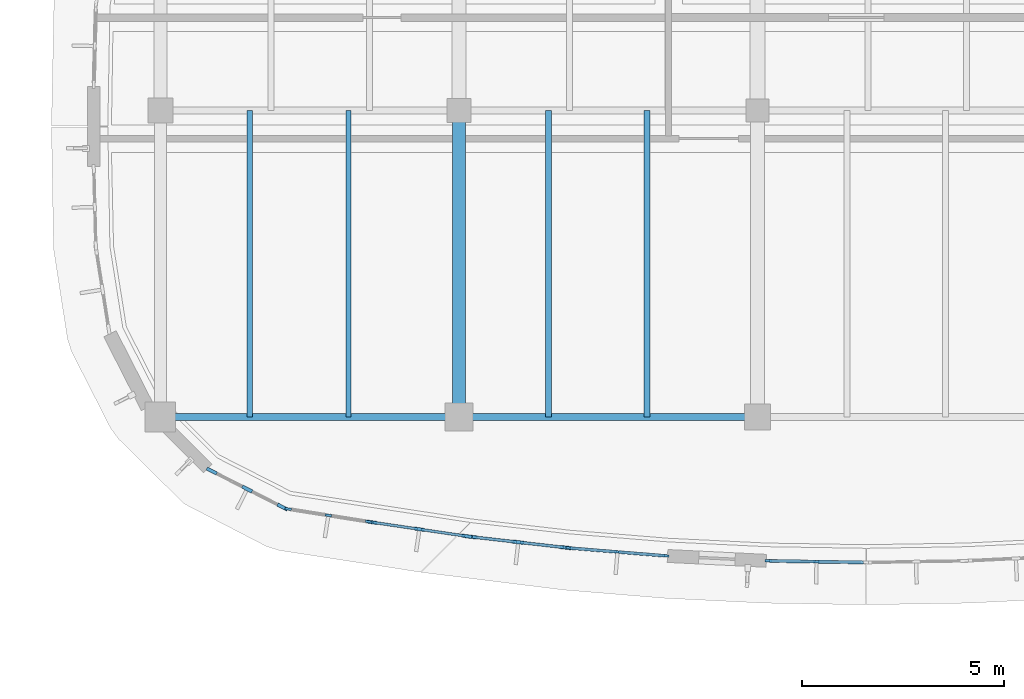
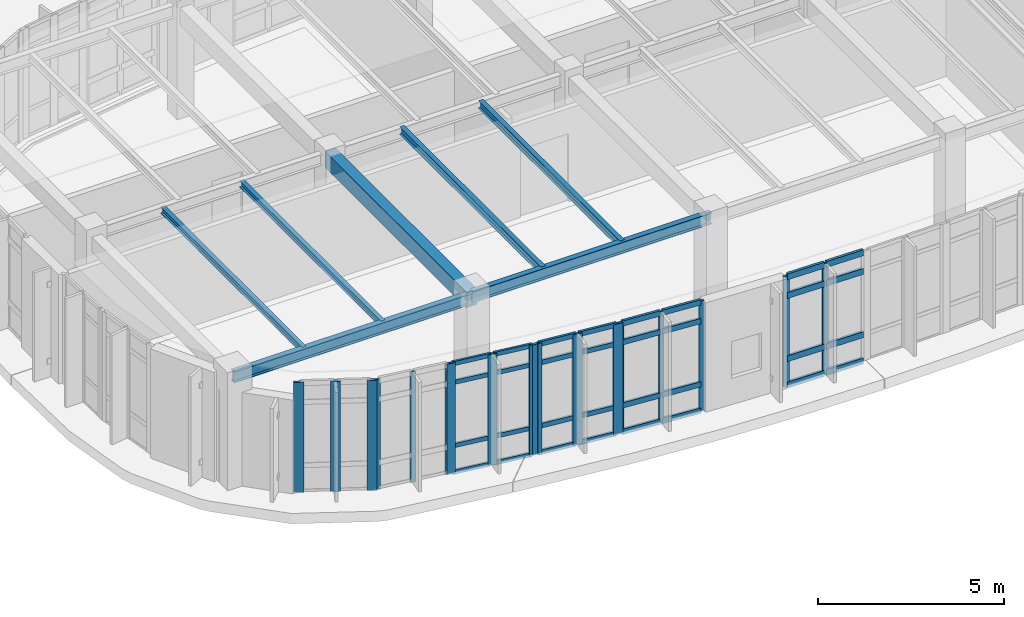
# One storey, part 28 of 111: 49 members, 7 beams, 6 elements without a shape of their own.
"""IFC4 building model written with IfcOpenShell, lengths in metres."""

from ifc_helpers import new_model, si_unit, direction, frame, origin, origin_2d, place, context, subcontext, project, spatial, rectangle, i_section, extrude, material, material_profile, profile_set, type_object, element, aggregate, save


model = new_model("IFC4")

# Units and contexts
model_context = context("Model", 3, precision=1e-05, world=origin(), true_north=direction((0.0, 1.0)))
body_context = subcontext(model_context, "Body", "Model", "MODEL_VIEW")
ifc_project = project(units=[si_unit("LENGTHUNIT", "METRE"), si_unit("AREAUNIT", "SQUARE_METRE"), si_unit("VOLUMEUNIT", "CUBIC_METRE"), si_unit("PLANEANGLEUNIT", "RADIAN"), si_unit("MASSUNIT", "GRAM", prefix="KILO")], contexts=[model_context])

# Site, building, storey
site_placement = place(None, origin())
site = spatial("IfcSite", under=ifc_project, at=site_placement, CompositionType="ELEMENT")
building_placement = place(site_placement, origin())
building = spatial("IfcBuilding", under=site, at=building_placement, Name="Corveleigh Park Community Centre", CompositionType="ELEMENT")
storey_placement = place(building_placement, frame((0.0, 0.0, 4.800048828125)))
storey = spatial("IfcBuildingStorey", under=building, at=storey_placement, Name="L01", CompositionType="ELEMENT", Elevation=4.800048828125)

# Beams
ifc_material_1 = material(Name="Concrete C40/50", Category="concrete")
ifc_material_profile_1 = material_profile(ifc_material_1, rectangle(XDim=0.324951171875, YDim=0.52490234375, at=origin_2d()), Name="RC-325x525", Category="concrete")
ifc_profile_set_1 = profile_set([ifc_material_profile_1], Name="Concrete C40/50")
beam_type_1 = type_object("IfcBeamType", Name="BM-RC-325x525", PredefinedType="BEAM", material=ifc_profile_set_1)
beam_1_placement = place(storey_placement, frame((79.39990234375, 11.205078125, 3.39453125), z_axis=(0.0, 1.0, 0.0), x_axis=(-1.0, 0.0, 0.0)))
element("IfcBeam", 1, at=beam_1_placement, inside=storey, type_object=beam_type_1, Name="V3 Girder Y", PredefinedType="BEAM", context=body_context, shape_type="SweptSolid", body=[
    extrude(rectangle(XDim=0.324951171875, YDim=0.52490234375, at=origin_2d()), origin(), (0.0, 0.0, 1.0), 7.58984375),
])
ifc_material_2 = material(Name="Steel S355", Category="steel")
ifc_material_profile_2 = material_profile(ifc_material_2, i_section(OverallWidth=0.1337890625, OverallDepth=0.206787109375, WebThickness=0.00634765625, FlangeThickness=0.009521484375, at=origin_2d()), Name="UKB 203x133x30", Category="steel")
ifc_profile_set_2 = profile_set([ifc_material_profile_2], Name="Steel S355")
beam_type_2 = type_object("IfcBeamType", Name="BM-STL-UKB203x30", PredefinedType="JOIST", material=ifc_profile_set_2)
for number, where, z_axis, x_axis, name in (
    (2, (74.219970703125, 11.205078125, 3.5166015625), (0.0, 1.0, 0.0), (-1.0, 0.0, 0.0), "Secondary floor joist"),
    (3, (76.662109375, 11.205078125, 3.5166015625), (0.0, 1.0, 0.0), (-1.0, 0.0, 0.0), "Secondary floor joist"),
):
    element("IfcBeam", number, at=place(storey_placement, frame(where, z_axis=z_axis, x_axis=x_axis)), inside=storey, type_object=beam_type_2, Name=name, PredefinedType="JOIST", context=body_context, shape_type="SweptSolid", body=[
        extrude(i_section(OverallWidth=0.1337890625, OverallDepth=0.206787109375, WebThickness=0.00634765625, FlangeThickness=0.009521484375, at=origin_2d()), origin(), (0.0, 0.0, 1.0), 7.58984375),
    ])
ifc_material_profile_3 = material_profile(ifc_material_2, i_section(OverallWidth=0.14599609375, OverallDepth=0.25146484375, WebThickness=0.006103515625, FlangeThickness=0.008544921875, at=origin_2d()), Name="UKB 254x146x31", Category="steel")
ifc_profile_set_3 = profile_set([ifc_material_profile_3], Name="Steel S355")
beam_type_3 = type_object("IfcBeamType", Name="BM-STL-UKB254x31", PredefinedType="JOIST", material=ifc_profile_set_3)
for number, where, z_axis, x_axis, name in (
    (4, (81.6201171875, 11.205078125, 3.53125), (0.0, 1.0, 0.0), (-1.0, 0.0, 0.0), "Secondary floor joist"),
    (5, (84.06201171875, 11.205078125, 3.53125), (0.0, 1.0, 0.0), (-1.0, 0.0, 0.0), "Secondary floor joist"),
):
    element("IfcBeam", number, at=place(storey_placement, frame(where, z_axis=z_axis, x_axis=x_axis)), inside=storey, type_object=beam_type_3, Name=name, PredefinedType="JOIST", context=body_context, shape_type="SweptSolid", body=[
        extrude(i_section(OverallWidth=0.14599609375, OverallDepth=0.25146484375, WebThickness=0.006103515625, FlangeThickness=0.008544921875, at=origin_2d()), origin(), (0.0, 0.0, 1.0), 7.58984375),
    ])
ifc_material_profile_4 = material_profile(ifc_material_2, i_section(OverallWidth=0.172119140625, OverallDepth=0.35791015625, WebThickness=0.008056640625, FlangeThickness=0.012939453125, at=origin_2d()), Name="UKB 356x171x57", Category="steel")
ifc_profile_set_4 = profile_set([ifc_material_profile_4], Name="Steel S355")
beam_type_4 = type_object("IfcBeamType", Name="BM-STL-UKB356x57", PredefinedType="BEAM", material=ifc_profile_set_4)
beam_2_placement = place(storey_placement, frame((72.0048828125, 11.199951171875, 3.44091796875), z_axis=(1.0, 0.0, 0.0), x_axis=(0.0, 1.0, 0.0)))
element("IfcBeam", 6, at=beam_2_placement, inside=storey, type_object=beam_type_4, Name="V3 Girder X", PredefinedType="BEAM", context=body_context, shape_type="SweptSolid", body=[
    extrude(i_section(OverallWidth=0.172119140625, OverallDepth=0.35791015625, WebThickness=0.008056640625, FlangeThickness=0.012939453125, at=origin_2d()), origin(), (0.0, 0.0, 1.0), 7.39013671875),
])
ifc_material_profile_5 = material_profile(ifc_material_2, i_section(OverallWidth=0.173095703125, OverallDepth=0.36328125, WebThickness=0.009033203125, FlangeThickness=0.015625, at=origin_2d()), Name="UKB 356x171x67", Category="steel")
ifc_profile_set_5 = profile_set([ifc_material_profile_5], Name="Steel S355")
beam_type_5 = type_object("IfcBeamType", Name="BM-STL-UKB356x67", PredefinedType="BEAM", material=ifc_profile_set_5)
beam_3_placement = place(storey_placement, frame((79.405029296875, 11.199951171875, 3.475341796875), z_axis=(1.0, 0.0, 0.0), x_axis=(0.0, 1.0, 0.0)))
element("IfcBeam", 7, at=beam_3_placement, inside=storey, type_object=beam_type_5, Name="V3 Girder X", PredefinedType="BEAM", context=body_context, shape_type="SweptSolid", body=[
    extrude(i_section(OverallWidth=0.173095703125, OverallDepth=0.36328125, WebThickness=0.009033203125, FlangeThickness=0.015625, at=origin_2d()), origin(), (0.0, 0.0, 1.0), 7.389892578125),
])

# Curtain wall, members
ifc_material_3 = material(Name="Anodised aluminium 6063-T6", Category="aluminium")
curtain_wall_type = type_object("IfcCurtainWallType", Name="CW-SYS-V3-UPP", PredefinedType="NOTDEFINED", material=ifc_material_3)
curtain_wall_1_placement = place(storey_placement, origin())
curtain_wall_1 = element("IfcCurtainWall", 8, at=curtain_wall_1_placement, inside=storey, type_object=curtain_wall_type, Name="V3 L01 Curtain Wall 229", PredefinedType="NOTDEFINED")
ifc_material_profile_6 = material_profile(ifc_material_3, rectangle(XDim=0.06005859375, YDim=0.159912109375, at=origin_2d()), Name="ALU-M60x160", Category="aluminium")
ifc_profile_set_6 = profile_set([ifc_material_profile_6], Name="Anodised aluminium 6063-T6")
member_type_1 = type_object("IfcMemberType", Name="CWM-60x160", PredefinedType="MULLION", material=ifc_profile_set_6)
member_1_placement = place(storey_placement, frame((84.523193359375, 7.760498046875, 0.0), z_axis=(0.0, 0.0, 1.0), x_axis=(-0.081122341986, -0.996704151507, 0.0)))
member_1 = element("IfcMember", 9, at=member_1_placement, type_object=member_type_1, Name="CW06 mullion 1", PredefinedType="MULLION", context=body_context, shape_type="SweptSolid", body=[
    extrude(rectangle(XDim=0.06005859375, YDim=0.159912109375, at=origin_2d()), origin(), (0.0, 0.0, 1.0), 3.619873046875),
])
member_2_placement = place(storey_placement, frame((83.33056640625, 7.857421875, 0.0), z_axis=(0.0, 0.0, 1.0), x_axis=(-0.081122341986, -0.996704151507, 0.0)))
member_2 = element("IfcMember", 10, at=member_2_placement, type_object=member_type_1, Name="CW06 mullion 2", PredefinedType="MULLION", context=body_context, shape_type="SweptSolid", body=[
    extrude(rectangle(XDim=0.06005859375, YDim=0.159912109375, at=origin_2d()), origin(), (0.0, 0.0, 1.0), 3.619873046875),
])
member_3_placement = place(storey_placement, frame((82.137939453125, 7.95458984375, 0.0), z_axis=(0.0, 0.0, 1.0), x_axis=(-0.081122341986, -0.996704151507, 0.0)))
member_3 = element("IfcMember", 11, at=member_3_placement, type_object=member_type_1, Name="CW06 mullion 3", PredefinedType="MULLION", context=body_context, shape_type="SweptSolid", body=[
    extrude(rectangle(XDim=0.06005859375, YDim=0.159912109375, at=origin_2d()), origin(), (0.0, 0.0, 1.0), 3.619873046875),
])

curtain_wall_2_placement = place(storey_placement, origin())
curtain_wall_2 = element("IfcCurtainWall", 12, at=curtain_wall_2_placement, inside=storey, type_object=curtain_wall_type, Name="V3 L01 Curtain Wall 259", PredefinedType="NOTDEFINED")
member_4_placement = place(storey_placement, frame((77.163330078125, 8.605712890625, 0.0), z_axis=(0.0, 0.0, 1.0), x_axis=(-0.156603912946, -0.987661487783, 0.0)))
member_4 = element("IfcMember", 13, at=member_4_placement, type_object=member_type_1, Name="CW06 mullion 1", PredefinedType="MULLION", context=body_context, shape_type="SweptSolid", body=[
    extrude(rectangle(XDim=0.06005859375, YDim=0.159912109375, at=origin_2d()), origin(), (0.0, 0.0, 1.0), 3.619873046875),
])
member_5_placement = place(storey_placement, frame((76.1650390625, 8.763916015625, 0.0), z_axis=(0.0, 0.0, 1.0), x_axis=(-0.156603912946, -0.987661487783, 0.0)))
member_5 = element("IfcMember", 14, at=member_5_placement, type_object=member_type_1, Name="CW06 mullion 2", PredefinedType="MULLION", context=body_context, shape_type="SweptSolid", body=[
    extrude(rectangle(XDim=0.06005859375, YDim=0.159912109375, at=origin_2d()), origin(), (0.0, 0.0, 1.0), 3.619873046875),
])
member_6_placement = place(storey_placement, frame((75.166748046875, 8.92236328125, 0.0), z_axis=(0.0, 0.0, 1.0), x_axis=(-0.156603912946, -0.987661487783, 0.0)))
member_6 = element("IfcMember", 15, at=member_6_placement, type_object=member_type_1, Name="CW06 mullion 3", PredefinedType="MULLION", context=body_context, shape_type="SweptSolid", body=[
    extrude(rectangle(XDim=0.06005859375, YDim=0.159912109375, at=origin_2d()), origin(), (0.0, 0.0, 1.0), 3.619873046875),
])
aggregate(curtain_wall_2, [member_4, member_5, member_6])

curtain_wall_3_placement = place(storey_placement, origin())
curtain_wall_3 = element("IfcCurtainWall", 16, at=curtain_wall_3_placement, inside=storey, type_object=curtain_wall_type, Name="V3 L01 Curtain Wall 230", PredefinedType="NOTDEFINED")
ifc_material_profile_7 = material_profile(ifc_material_3, rectangle(XDim=0.06494140625, YDim=0.179931640625, at=origin_2d()), Name="ALU-M65x180", Category="aluminium")
ifc_profile_set_7 = profile_set([ifc_material_profile_7], Name="Anodised aluminium 6063-T6")
member_type_2 = type_object("IfcMemberType", Name="CWM-65x180", PredefinedType="MULLION", material=ifc_profile_set_7)
member_7_placement = place(storey_placement, frame((88.264892578125, 7.616943359375, 0.0), z_axis=(0.0, 0.0, 1.0), x_axis=(-0.016311043488, -0.999866966081, 0.0)))
member_7 = element("IfcMember", 17, at=member_7_placement, type_object=member_type_2, Name="CW06 mullion 2", PredefinedType="MULLION", context=body_context, shape_type="SweptSolid", body=[
    extrude(rectangle(XDim=0.06494140625, YDim=0.179931640625, at=origin_2d()), origin(), (0.0, 0.0, 1.0), 3.619873046875),
])
member_8_placement = place(storey_placement, frame((87.071533203125, 7.636474609375, 0.0), z_axis=(0.0, 0.0, 1.0), x_axis=(-0.016311043488, -0.999866966081, 0.0)))
member_8 = element("IfcMember", 18, at=member_8_placement, type_object=member_type_2, Name="CW06 mullion 3", PredefinedType="MULLION", context=body_context, shape_type="SweptSolid", body=[
    extrude(rectangle(XDim=0.06494140625, YDim=0.179931640625, at=origin_2d()), origin(), (0.0, 0.0, 1.0), 3.619873046875),
])

curtain_wall_4_placement = place(storey_placement, origin())
curtain_wall_4 = element("IfcCurtainWall", 19, at=curtain_wall_4_placement, inside=storey, type_object=curtain_wall_type, Name="V3 L01 Curtain Wall 227", PredefinedType="NOTDEFINED")
ifc_material_profile_8 = material_profile(ifc_material_3, rectangle(XDim=0.080078125, YDim=0.25, at=origin_2d()), Name="ALU-M80x250", Category="aluminium")
ifc_profile_set_8 = profile_set([ifc_material_profile_8], Name="Anodised aluminium 6063-T6")
member_type_3 = type_object("IfcMemberType", Name="CWM-80x250", PredefinedType="MULLION", material=ifc_profile_set_8)
member_9_placement = place(storey_placement, frame((79.595458984375, 8.245849609375, 0.0), z_axis=(0.0, 0.0, 1.0), x_axis=(-0.146268101327, -0.989244986105, 0.0)))
member_9 = element("IfcMember", 20, at=member_9_placement, type_object=member_type_3, Name="CW06 mullion 1", PredefinedType="MULLION", context=body_context, shape_type="SweptSolid", body=[
    extrude(rectangle(XDim=0.080078125, YDim=0.25, at=origin_2d()), origin(), (0.0, 0.0, 1.0), 3.619873046875),
])
member_10_placement = place(storey_placement, frame((78.4208984375, 8.41943359375, 0.0), z_axis=(0.0, 0.0, 1.0), x_axis=(-0.146268101327, -0.989244986105, 0.0)))
member_10 = element("IfcMember", 21, at=member_10_placement, type_object=member_type_3, Name="CW06 mullion 2", PredefinedType="MULLION", context=body_context, shape_type="SweptSolid", body=[
    extrude(rectangle(XDim=0.080078125, YDim=0.25, at=origin_2d()), origin(), (0.0, 0.0, 1.0), 3.619873046875),
])
member_11_placement = place(storey_placement, frame((77.24658203125, 8.59326171875, 0.0), z_axis=(0.0, 0.0, 1.0), x_axis=(-0.146268101327, -0.989244986105, 0.0)))
member_11 = element("IfcMember", 22, at=member_11_placement, type_object=member_type_3, Name="CW06 mullion 3", PredefinedType="MULLION", context=body_context, shape_type="SweptSolid", body=[
    extrude(rectangle(XDim=0.080078125, YDim=0.25, at=origin_2d()), origin(), (0.0, 0.0, 1.0), 3.619873046875),
])

curtain_wall_5_placement = place(storey_placement, origin())
curtain_wall_5 = element("IfcCurtainWall", 23, at=curtain_wall_5_placement, inside=storey, type_object=curtain_wall_type, Name="V3 L01 Curtain Wall 228", PredefinedType="NOTDEFINED")
ifc_material_profile_9 = material_profile(ifc_material_3, rectangle(XDim=0.0849609375, YDim=0.27490234375, at=origin_2d()), Name="ALU-M85x275", Category="aluminium")
ifc_profile_set_9 = profile_set([ifc_material_profile_9], Name="Anodised aluminium 6063-T6")
member_type_4 = type_object("IfcMemberType", Name="CWM-85x275", PredefinedType="MULLION", material=ifc_profile_set_9)
member_12_placement = place(storey_placement, frame((82.0478515625, 7.9638671875, 0.0), z_axis=(0.0, 0.0, 1.0), x_axis=(-0.113742050835, -0.99351031493, 0.0)))
member_12 = element("IfcMember", 24, at=member_12_placement, type_object=member_type_4, Name="CW06 mullion 1", PredefinedType="MULLION", context=body_context, shape_type="SweptSolid", body=[
    extrude(rectangle(XDim=0.0849609375, YDim=0.27490234375, at=origin_2d()), origin(), (0.0, 0.0, 1.0), 3.619873046875),
])
member_13_placement = place(storey_placement, frame((80.87158203125, 8.098388671875, 0.0), z_axis=(0.0, 0.0, 1.0), x_axis=(-0.113742050835, -0.99351031493, 0.0)))
member_13 = element("IfcMember", 25, at=member_13_placement, type_object=member_type_4, Name="CW06 mullion 2", PredefinedType="MULLION", context=body_context, shape_type="SweptSolid", body=[
    extrude(rectangle(XDim=0.0849609375, YDim=0.27490234375, at=origin_2d()), origin(), (0.0, 0.0, 1.0), 3.619873046875),
])
member_14_placement = place(storey_placement, frame((79.6953125, 8.233154296875, 0.0), z_axis=(0.0, 0.0, 1.0), x_axis=(-0.113742050835, -0.99351031493, 0.0)))
member_14 = element("IfcMember", 26, at=member_14_placement, type_object=member_type_4, Name="CW06 mullion 3", PredefinedType="MULLION", context=body_context, shape_type="SweptSolid", body=[
    extrude(rectangle(XDim=0.0849609375, YDim=0.27490234375, at=origin_2d()), origin(), (0.0, 0.0, 1.0), 3.619873046875),
])

curtain_wall_6_placement = place(storey_placement, origin())
curtain_wall_6 = element("IfcCurtainWall", 27, at=curtain_wall_6_placement, inside=storey, type_object=curtain_wall_type, Name="V3 L01 Curtain Wall 258", PredefinedType="NOTDEFINED")
member_15_placement = place(storey_placement, frame((75.027099609375, 8.96923828125, 0.0), z_axis=(0.0, 0.0, 1.0), x_axis=(-0.454217786228, -0.890890679418, 0.0)))
member_15 = element("IfcMember", 28, at=member_15_placement, type_object=member_type_4, Name="CW06 mullion 1", PredefinedType="MULLION", context=body_context, shape_type="SweptSolid", body=[
    extrude(rectangle(XDim=0.0849609375, YDim=0.27490234375, at=origin_2d()), origin(), (0.0, 0.0, 1.0), 3.619873046875),
])
member_16_placement = place(storey_placement, frame((74.15087890625, 9.416015625, 0.0), z_axis=(0.0, 0.0, 1.0), x_axis=(-0.454217786228, -0.890890679418, 0.0)))
member_16 = element("IfcMember", 29, at=member_16_placement, type_object=member_type_4, Name="CW06 mullion 2", PredefinedType="MULLION", context=body_context, shape_type="SweptSolid", body=[
    extrude(rectangle(XDim=0.0849609375, YDim=0.27490234375, at=origin_2d()), origin(), (0.0, 0.0, 1.0), 3.619873046875),
])
member_17_placement = place(storey_placement, frame((73.27490234375, 9.86279296875, 0.0), z_axis=(0.0, 0.0, 1.0), x_axis=(-0.454217786228, -0.890890679418, 0.0)))
member_17 = element("IfcMember", 30, at=member_17_placement, type_object=member_type_4, Name="CW06 mullion 3", PredefinedType="MULLION", context=body_context, shape_type="SweptSolid", body=[
    extrude(rectangle(XDim=0.0849609375, YDim=0.27490234375, at=origin_2d()), origin(), (0.0, 0.0, 1.0), 3.619873046875),
])
aggregate(curtain_wall_6, [member_15, member_16, member_17])

# Member
ifc_material_profile_10 = material_profile(ifc_material_3, rectangle(XDim=0.06494140625, YDim=0.139892578125, at=origin_2d()), Name="ALU-T65x140", Category="aluminium")
ifc_profile_set_10 = profile_set([ifc_material_profile_10], Name="Anodised aluminium 6063-T6")
member_type_5 = type_object("IfcMemberType", Name="CWT-65x140", PredefinedType="USERDEFINED", material=ifc_profile_set_10)
member_18_placement = place(storey_placement, frame((79.555908203125, 8.251708984375, 0.032470703125), z_axis=(-0.989259027021, 0.146173107848, 0.0), x_axis=(-0.146173107848, -0.989259027021, 0.0)))
member_18 = element("IfcMember", 31, at=member_18_placement, type_object=member_type_5, Name="CW06 transom 1.1", ObjectType="TRANSOM", PredefinedType="USERDEFINED", context=body_context, shape_type="SweptSolid", body=[
    extrude(rectangle(XDim=0.06494140625, YDim=0.139892578125, at=origin_2d()), origin(), (0.0, 0.0, 1.0), 1.107421875),
])

member_19_placement = place(storey_placement, frame((79.555908203125, 8.251708984375, 0.89990234375), z_axis=(-0.989259027021, 0.146173107848, 0.0), x_axis=(-0.146173107848, -0.989259027021, 0.0)))
member_19 = element("IfcMember", 32, at=member_19_placement, type_object=member_type_5, Name="CW06 transom 1.2", ObjectType="TRANSOM", PredefinedType="USERDEFINED", context=body_context, shape_type="SweptSolid", body=[
    extrude(rectangle(XDim=0.06494140625, YDim=0.139892578125, at=origin_2d()), origin(), (0.0, 0.0, 1.0), 1.107421875),
])

member_20_placement = place(storey_placement, frame((79.555908203125, 8.251708984375, 2.969970703125), z_axis=(-0.989259027021, 0.146173107848, 0.0), x_axis=(-0.146173107848, -0.989259027021, 0.0)))
member_20 = element("IfcMember", 33, at=member_20_placement, type_object=member_type_5, Name="CW06 transom 1.3", ObjectType="TRANSOM", PredefinedType="USERDEFINED", context=body_context, shape_type="SweptSolid", body=[
    extrude(rectangle(XDim=0.06494140625, YDim=0.139892578125, at=origin_2d()), origin(), (0.0, 0.0, 1.0), 1.107421875),
])

member_21_placement = place(storey_placement, frame((79.555908203125, 8.251708984375, 3.58740234375), z_axis=(-0.989259027021, 0.146173107848, 0.0), x_axis=(-0.146173107848, -0.989259027021, 0.0)))
member_21 = element("IfcMember", 34, at=member_21_placement, type_object=member_type_5, Name="CW06 transom 1.4", ObjectType="TRANSOM", PredefinedType="USERDEFINED", context=body_context, shape_type="SweptSolid", body=[
    extrude(rectangle(XDim=0.06494140625, YDim=0.139892578125, at=origin_2d()), origin(), (0.0, 0.0, 1.0), 1.107421875),
])

member_22_placement = place(storey_placement, frame((78.38134765625, 8.42529296875, 0.032470703125), z_axis=(-0.989222397509, 0.146420791785, 0.0), x_axis=(-0.146420791785, -0.989222397509, 0.0)))
member_22 = element("IfcMember", 35, at=member_22_placement, type_object=member_type_5, Name="CW06 transom 2.1", ObjectType="TRANSOM", PredefinedType="USERDEFINED", context=body_context, shape_type="SweptSolid", body=[
    extrude(rectangle(XDim=0.06494140625, YDim=0.139892578125, at=origin_2d()), origin(), (0.0, 0.0, 1.0), 1.107177734375),
])

member_23_placement = place(storey_placement, frame((78.38134765625, 8.42529296875, 0.89990234375), z_axis=(-0.989222397509, 0.146420791785, 0.0), x_axis=(-0.146420791785, -0.989222397509, 0.0)))
member_23 = element("IfcMember", 36, at=member_23_placement, type_object=member_type_5, Name="CW06 transom 2.2", ObjectType="TRANSOM", PredefinedType="USERDEFINED", context=body_context, shape_type="SweptSolid", body=[
    extrude(rectangle(XDim=0.06494140625, YDim=0.139892578125, at=origin_2d()), origin(), (0.0, 0.0, 1.0), 1.107177734375),
])

member_24_placement = place(storey_placement, frame((78.38134765625, 8.42529296875, 2.969970703125), z_axis=(-0.989222397509, 0.146420791785, 0.0), x_axis=(-0.146420791785, -0.989222397509, 0.0)))
member_24 = element("IfcMember", 37, at=member_24_placement, type_object=member_type_5, Name="CW06 transom 2.3", ObjectType="TRANSOM", PredefinedType="USERDEFINED", context=body_context, shape_type="SweptSolid", body=[
    extrude(rectangle(XDim=0.06494140625, YDim=0.139892578125, at=origin_2d()), origin(), (0.0, 0.0, 1.0), 1.107177734375),
])

member_25_placement = place(storey_placement, frame((78.38134765625, 8.42529296875, 3.58740234375), z_axis=(-0.989222397509, 0.146420791785, 0.0), x_axis=(-0.146420791785, -0.989222397509, 0.0)))
member_25 = element("IfcMember", 38, at=member_25_placement, type_object=member_type_5, Name="CW06 transom 2.4", ObjectType="TRANSOM", PredefinedType="USERDEFINED", context=body_context, shape_type="SweptSolid", body=[
    extrude(rectangle(XDim=0.06494140625, YDim=0.139892578125, at=origin_2d()), origin(), (0.0, 0.0, 1.0), 1.107177734375),
])

aggregate(curtain_wall_4, [member_9, member_10, member_11, member_18, member_19, member_20, member_21, member_22, member_23, member_24, member_25])

ifc_material_profile_11 = material_profile(ifc_material_3, rectangle(XDim=0.070068359375, YDim=0.155029296875, at=origin_2d()), Name="ALU-T70x155", Category="aluminium")
ifc_profile_set_11 = profile_set([ifc_material_profile_11], Name="Anodised aluminium 6063-T6")
member_type_6 = type_object("IfcMemberType", Name="CWT-70x155", PredefinedType="USERDEFINED", material=ifc_profile_set_11)
member_26_placement = place(storey_placement, frame((82.005615234375, 7.96875, 0.034912109375), z_axis=(-0.993509738024, 0.113747089863, 0.0), x_axis=(-0.113747089863, -0.993509738024, 0.0)))
member_26 = element("IfcMember", 39, at=member_26_placement, type_object=member_type_6, Name="CW06 transom 1.1", ObjectType="TRANSOM", PredefinedType="USERDEFINED", context=body_context, shape_type="SweptSolid", body=[
    extrude(rectangle(XDim=0.070068359375, YDim=0.155029296875, at=origin_2d()), origin(), (0.0, 0.0, 1.0), 1.098876953125),
])

member_27_placement = place(storey_placement, frame((82.005615234375, 7.96875, 0.89990234375), z_axis=(-0.993509738024, 0.113747089863, 0.0), x_axis=(-0.113747089863, -0.993509738024, 0.0)))
member_27 = element("IfcMember", 40, at=member_27_placement, type_object=member_type_6, Name="CW06 transom 1.2", ObjectType="TRANSOM", PredefinedType="USERDEFINED", context=body_context, shape_type="SweptSolid", body=[
    extrude(rectangle(XDim=0.070068359375, YDim=0.155029296875, at=origin_2d()), origin(), (0.0, 0.0, 1.0), 1.098876953125),
])

member_28_placement = place(storey_placement, frame((82.005615234375, 7.96875, 2.969970703125), z_axis=(-0.993509738024, 0.113747089863, 0.0), x_axis=(-0.113747089863, -0.993509738024, 0.0)))
member_28 = element("IfcMember", 41, at=member_28_placement, type_object=member_type_6, Name="CW06 transom 1.3", ObjectType="TRANSOM", PredefinedType="USERDEFINED", context=body_context, shape_type="SweptSolid", body=[
    extrude(rectangle(XDim=0.070068359375, YDim=0.155029296875, at=origin_2d()), origin(), (0.0, 0.0, 1.0), 1.098876953125),
])

member_29_placement = place(storey_placement, frame((82.005615234375, 7.96875, 3.5849609375), z_axis=(-0.993509738024, 0.113747089863, 0.0), x_axis=(-0.113747089863, -0.993509738024, 0.0)))
member_29 = element("IfcMember", 42, at=member_29_placement, type_object=member_type_6, Name="CW06 transom 1.4", ObjectType="TRANSOM", PredefinedType="USERDEFINED", context=body_context, shape_type="SweptSolid", body=[
    extrude(rectangle(XDim=0.070068359375, YDim=0.155029296875, at=origin_2d()), origin(), (0.0, 0.0, 1.0), 1.098876953125),
])

member_30_placement = place(storey_placement, frame((80.829345703125, 8.103271484375, 0.034912109375), z_axis=(-0.993509738024, 0.113747089863, 0.0), x_axis=(-0.113747089863, -0.993509738024, 0.0)))
member_30 = element("IfcMember", 43, at=member_30_placement, type_object=member_type_6, Name="CW06 transom 2.1", ObjectType="TRANSOM", PredefinedType="USERDEFINED", context=body_context, shape_type="SweptSolid", body=[
    extrude(rectangle(XDim=0.070068359375, YDim=0.155029296875, at=origin_2d()), origin(), (0.0, 0.0, 1.0), 1.098876953125),
])

member_31_placement = place(storey_placement, frame((80.829345703125, 8.103271484375, 0.89990234375), z_axis=(-0.993509738024, 0.113747089863, 0.0), x_axis=(-0.113747089863, -0.993509738024, 0.0)))
member_31 = element("IfcMember", 44, at=member_31_placement, type_object=member_type_6, Name="CW06 transom 2.2", ObjectType="TRANSOM", PredefinedType="USERDEFINED", context=body_context, shape_type="SweptSolid", body=[
    extrude(rectangle(XDim=0.070068359375, YDim=0.155029296875, at=origin_2d()), origin(), (0.0, 0.0, 1.0), 1.098876953125),
])

member_32_placement = place(storey_placement, frame((80.829345703125, 8.103271484375, 2.969970703125), z_axis=(-0.993509738024, 0.113747089863, 0.0), x_axis=(-0.113747089863, -0.993509738024, 0.0)))
member_32 = element("IfcMember", 45, at=member_32_placement, type_object=member_type_6, Name="CW06 transom 2.3", ObjectType="TRANSOM", PredefinedType="USERDEFINED", context=body_context, shape_type="SweptSolid", body=[
    extrude(rectangle(XDim=0.070068359375, YDim=0.155029296875, at=origin_2d()), origin(), (0.0, 0.0, 1.0), 1.098876953125),
])

member_33_placement = place(storey_placement, frame((80.829345703125, 8.103271484375, 3.5849609375), z_axis=(-0.993509738024, 0.113747089863, 0.0), x_axis=(-0.113747089863, -0.993509738024, 0.0)))
member_33 = element("IfcMember", 46, at=member_33_placement, type_object=member_type_6, Name="CW06 transom 2.4", ObjectType="TRANSOM", PredefinedType="USERDEFINED", context=body_context, shape_type="SweptSolid", body=[
    extrude(rectangle(XDim=0.070068359375, YDim=0.155029296875, at=origin_2d()), origin(), (0.0, 0.0, 1.0), 1.098876953125),
])

aggregate(curtain_wall_5, [member_12, member_13, member_14, member_26, member_27, member_28, member_29, member_30, member_31, member_32, member_33])

ifc_material_profile_12 = material_profile(ifc_material_3, rectangle(XDim=0.074951171875, YDim=0.175048828125, at=origin_2d()), Name="ALU-T75x175", Category="aluminium")
ifc_profile_set_12 = profile_set([ifc_material_profile_12], Name="Anodised aluminium 6063-T6")
member_type_7 = type_object("IfcMemberType", Name="CWT-75x175", PredefinedType="USERDEFINED", material=ifc_profile_set_12)
member_34_placement = place(storey_placement, frame((84.4931640625, 7.762939453125, 0.037353515625), z_axis=(-0.996715472095, 0.080983132108, 0.0), x_axis=(-0.080983132108, -0.996715472095, 0.0)))
member_34 = element("IfcMember", 47, at=member_34_placement, type_object=member_type_7, Name="CW06 transom 1.1", ObjectType="TRANSOM", PredefinedType="USERDEFINED", context=body_context, shape_type="SweptSolid", body=[
    extrude(rectangle(XDim=0.074951171875, YDim=0.175048828125, at=origin_2d()), origin(), (0.0, 0.0, 1.0), 1.136474609375),
])

member_35_placement = place(storey_placement, frame((84.4931640625, 7.762939453125, 0.89990234375), z_axis=(-0.996715472095, 0.080983132108, 0.0), x_axis=(-0.080983132108, -0.996715472095, 0.0)))
member_35 = element("IfcMember", 48, at=member_35_placement, type_object=member_type_7, Name="CW06 transom 1.2", ObjectType="TRANSOM", PredefinedType="USERDEFINED", context=body_context, shape_type="SweptSolid", body=[
    extrude(rectangle(XDim=0.074951171875, YDim=0.175048828125, at=origin_2d()), origin(), (0.0, 0.0, 1.0), 1.136474609375),
])

member_36_placement = place(storey_placement, frame((84.4931640625, 7.762939453125, 2.969970703125), z_axis=(-0.996715472095, 0.080983132108, 0.0), x_axis=(-0.080983132108, -0.996715472095, 0.0)))
member_36 = element("IfcMember", 49, at=member_36_placement, type_object=member_type_7, Name="CW06 transom 1.3", ObjectType="TRANSOM", PredefinedType="USERDEFINED", context=body_context, shape_type="SweptSolid", body=[
    extrude(rectangle(XDim=0.074951171875, YDim=0.175048828125, at=origin_2d()), origin(), (0.0, 0.0, 1.0), 1.136474609375),
])

member_37_placement = place(storey_placement, frame((84.4931640625, 7.762939453125, 3.58251953125), z_axis=(-0.996715472095, 0.080983132108, 0.0), x_axis=(-0.080983132108, -0.996715472095, 0.0)))
member_37 = element("IfcMember", 50, at=member_37_placement, type_object=member_type_7, Name="CW06 transom 1.4", ObjectType="TRANSOM", PredefinedType="USERDEFINED", context=body_context, shape_type="SweptSolid", body=[
    extrude(rectangle(XDim=0.074951171875, YDim=0.175048828125, at=origin_2d()), origin(), (0.0, 0.0, 1.0), 1.136474609375),
])

member_38_placement = place(storey_placement, frame((83.300537109375, 7.85986328125, 0.037353515625), z_axis=(-0.996698110755, 0.081196527126, 0.0), x_axis=(-0.081196527126, -0.996698110755, 0.0)))
member_38 = element("IfcMember", 51, at=member_38_placement, type_object=member_type_7, Name="CW06 transom 2.1", ObjectType="TRANSOM", PredefinedType="USERDEFINED", context=body_context, shape_type="SweptSolid", body=[
    extrude(rectangle(XDim=0.074951171875, YDim=0.175048828125, at=origin_2d()), origin(), (0.0, 0.0, 1.0), 1.136474609375),
])

member_39_placement = place(storey_placement, frame((83.300537109375, 7.85986328125, 0.89990234375), z_axis=(-0.996698110755, 0.081196527126, 0.0), x_axis=(-0.081196527126, -0.996698110755, 0.0)))
member_39 = element("IfcMember", 52, at=member_39_placement, type_object=member_type_7, Name="CW06 transom 2.2", ObjectType="TRANSOM", PredefinedType="USERDEFINED", context=body_context, shape_type="SweptSolid", body=[
    extrude(rectangle(XDim=0.074951171875, YDim=0.175048828125, at=origin_2d()), origin(), (0.0, 0.0, 1.0), 1.136474609375),
])

member_40_placement = place(storey_placement, frame((83.300537109375, 7.85986328125, 2.969970703125), z_axis=(-0.996698110755, 0.081196527126, 0.0), x_axis=(-0.081196527126, -0.996698110755, 0.0)))
member_40 = element("IfcMember", 53, at=member_40_placement, type_object=member_type_7, Name="CW06 transom 2.3", ObjectType="TRANSOM", PredefinedType="USERDEFINED", context=body_context, shape_type="SweptSolid", body=[
    extrude(rectangle(XDim=0.074951171875, YDim=0.175048828125, at=origin_2d()), origin(), (0.0, 0.0, 1.0), 1.136474609375),
])

member_41_placement = place(storey_placement, frame((83.300537109375, 7.85986328125, 3.58251953125), z_axis=(-0.996698110755, 0.081196527126, 0.0), x_axis=(-0.081196527126, -0.996698110755, 0.0)))
member_41 = element("IfcMember", 54, at=member_41_placement, type_object=member_type_7, Name="CW06 transom 2.4", ObjectType="TRANSOM", PredefinedType="USERDEFINED", context=body_context, shape_type="SweptSolid", body=[
    extrude(rectangle(XDim=0.074951171875, YDim=0.175048828125, at=origin_2d()), origin(), (0.0, 0.0, 1.0), 1.136474609375),
])

aggregate(curtain_wall_1, [member_1, member_2, member_3, member_34, member_35, member_36, member_37, member_38, member_39, member_40, member_41])

ifc_material_profile_13 = material_profile(ifc_material_3, rectangle(XDim=0.080078125, YDim=0.195068359375, at=origin_2d()), Name="ALU-T80x195", Category="aluminium")
ifc_profile_set_13 = profile_set([ifc_material_profile_13], Name="Anodised aluminium 6063-T6")
member_type_8 = type_object("IfcMemberType", Name="CWT-80x195", PredefinedType="USERDEFINED", material=ifc_profile_set_13)
member_42_placement = place(storey_placement, frame((89.426025390625, 7.59814453125, 0.0400390625), z_axis=(-0.999868372421, 0.016224605784, 0.0), x_axis=(-0.016224605784, -0.999868372421, 0.0)))
member_42 = element("IfcMember", 55, at=member_42_placement, type_object=member_type_8, Name="CW06 transom 1.1", ObjectType="TRANSOM", PredefinedType="USERDEFINED", context=body_context, shape_type="SweptSolid", body=[
    extrude(rectangle(XDim=0.080078125, YDim=0.195068359375, at=origin_2d()), origin(), (0.0, 0.0, 1.0), 1.128662109375),
])

member_43_placement = place(storey_placement, frame((89.426025390625, 7.59814453125, 0.89990234375), z_axis=(-0.999868372421, 0.016224605784, 0.0), x_axis=(-0.016224605784, -0.999868372421, 0.0)))
member_43 = element("IfcMember", 56, at=member_43_placement, type_object=member_type_8, Name="CW06 transom 1.2", ObjectType="TRANSOM", PredefinedType="USERDEFINED", context=body_context, shape_type="SweptSolid", body=[
    extrude(rectangle(XDim=0.080078125, YDim=0.195068359375, at=origin_2d()), origin(), (0.0, 0.0, 1.0), 1.128662109375),
])

member_44_placement = place(storey_placement, frame((89.426025390625, 7.59814453125, 2.969970703125), z_axis=(-0.999868372421, 0.016224605784, 0.0), x_axis=(-0.016224605784, -0.999868372421, 0.0)))
member_44 = element("IfcMember", 57, at=member_44_placement, type_object=member_type_8, Name="CW06 transom 1.3", ObjectType="TRANSOM", PredefinedType="USERDEFINED", context=body_context, shape_type="SweptSolid", body=[
    extrude(rectangle(XDim=0.080078125, YDim=0.195068359375, at=origin_2d()), origin(), (0.0, 0.0, 1.0), 1.128662109375),
])

member_45_placement = place(storey_placement, frame((89.426025390625, 7.59814453125, 3.579833984375), z_axis=(-0.999868372421, 0.016224605784, 0.0), x_axis=(-0.016224605784, -0.999868372421, 0.0)))
member_45 = element("IfcMember", 58, at=member_45_placement, type_object=member_type_8, Name="CW06 transom 1.4", ObjectType="TRANSOM", PredefinedType="USERDEFINED", context=body_context, shape_type="SweptSolid", body=[
    extrude(rectangle(XDim=0.080078125, YDim=0.195068359375, at=origin_2d()), origin(), (0.0, 0.0, 1.0), 1.128662109375),
])

member_46_placement = place(storey_placement, frame((88.232421875, 7.617431640625, 0.0400390625), z_axis=(-0.999864839668, 0.016440875771, 0.0), x_axis=(-0.016440875771, -0.999864839668, 0.0)))
member_46 = element("IfcMember", 59, at=member_46_placement, type_object=member_type_8, Name="CW06 transom 2.1", ObjectType="TRANSOM", PredefinedType="USERDEFINED", context=body_context, shape_type="SweptSolid", body=[
    extrude(rectangle(XDim=0.080078125, YDim=0.195068359375, at=origin_2d()), origin(), (0.0, 0.0, 1.0), 1.128662109375),
])

member_47_placement = place(storey_placement, frame((88.232421875, 7.617431640625, 0.89990234375), z_axis=(-0.999864839668, 0.016440875771, 0.0), x_axis=(-0.016440875771, -0.999864839668, 0.0)))
member_47 = element("IfcMember", 60, at=member_47_placement, type_object=member_type_8, Name="CW06 transom 2.2", ObjectType="TRANSOM", PredefinedType="USERDEFINED", context=body_context, shape_type="SweptSolid", body=[
    extrude(rectangle(XDim=0.080078125, YDim=0.195068359375, at=origin_2d()), origin(), (0.0, 0.0, 1.0), 1.128662109375),
])

member_48_placement = place(storey_placement, frame((88.232421875, 7.617431640625, 2.969970703125), z_axis=(-0.999864839668, 0.016440875771, 0.0), x_axis=(-0.016440875771, -0.999864839668, 0.0)))
member_48 = element("IfcMember", 61, at=member_48_placement, type_object=member_type_8, Name="CW06 transom 2.3", ObjectType="TRANSOM", PredefinedType="USERDEFINED", context=body_context, shape_type="SweptSolid", body=[
    extrude(rectangle(XDim=0.080078125, YDim=0.195068359375, at=origin_2d()), origin(), (0.0, 0.0, 1.0), 1.128662109375),
])

member_49_placement = place(storey_placement, frame((88.232421875, 7.617431640625, 3.579833984375), z_axis=(-0.999864839668, 0.016440875771, 0.0), x_axis=(-0.016440875771, -0.999864839668, 0.0)))
member_49 = element("IfcMember", 62, at=member_49_placement, type_object=member_type_8, Name="CW06 transom 2.4", ObjectType="TRANSOM", PredefinedType="USERDEFINED", context=body_context, shape_type="SweptSolid", body=[
    extrude(rectangle(XDim=0.080078125, YDim=0.195068359375, at=origin_2d()), origin(), (0.0, 0.0, 1.0), 1.128662109375),
])

aggregate(curtain_wall_3, [member_7, member_8, member_42, member_43, member_44, member_45, member_46, member_47, member_48, member_49])

save(model, "model.ifc")
